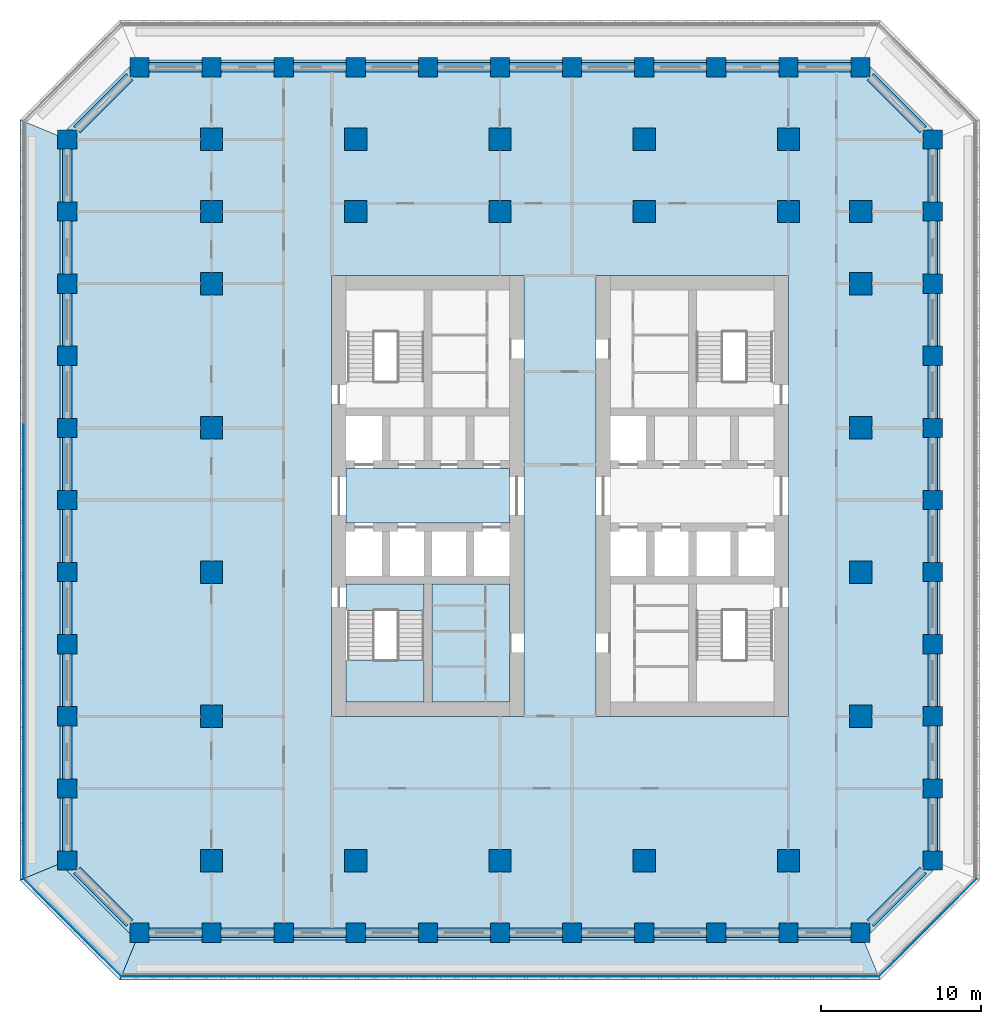
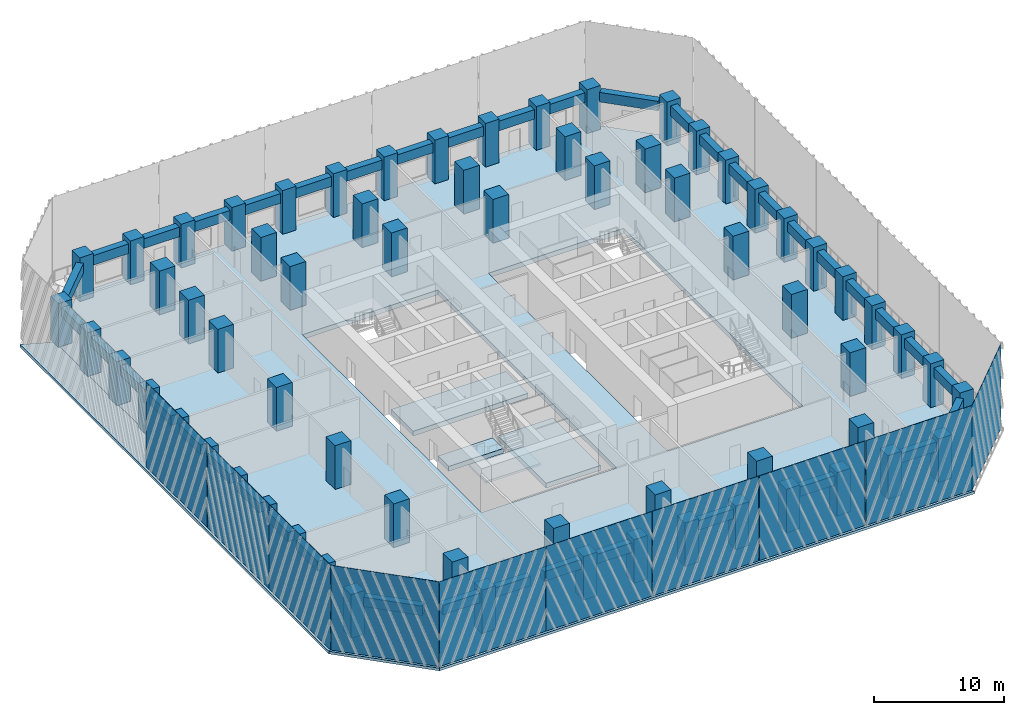
# One storey, part 1 of 19: 68 columns, 44 beams, 10 plates, 8 slabs, 1 element without a shape of its own.
"""IFC4 building model written with IfcOpenShell, lengths in metres."""

from ifc_helpers import new_model, si_unit, direction, frame, origin, origin_2d, place, context, subcontext, project, spatial, polyline, rectangle, outline, extrude, material, layer, layer_set, material_profile, profile_set, type_object, element, aggregate, save


model = new_model("IFC4")

# Units and contexts
model_context = context("Model", 3, precision=1e-05, world=origin(), true_north=direction((0.0, 1.0)))
body_context = subcontext(model_context, "Body", "Model", "MODEL_VIEW")
ifc_project = project(units=[si_unit("LENGTHUNIT", "METRE"), si_unit("AREAUNIT", "SQUARE_METRE"), si_unit("VOLUMEUNIT", "CUBIC_METRE"), si_unit("PLANEANGLEUNIT", "RADIAN"), si_unit("MASSUNIT", "GRAM", prefix="KILO")], contexts=[model_context])

# Site, building, storey
site_placement = place(None, origin())
site = spatial("IfcSite", under=ifc_project, at=site_placement, CompositionType="ELEMENT")
building_placement = place(site_placement, origin())
building = spatial("IfcBuilding", under=site, at=building_placement, Name="Corbel Stack Research Tower", CompositionType="ELEMENT")
storey_placement = place(building_placement, frame((0.0, 0.0, 124.89990234375)))
storey = spatial("IfcBuildingStorey", under=building, at=storey_placement, Name="L28", CompositionType="ELEMENT", Elevation=124.89990234375)

# Columns
ifc_material_1 = material(Name="Concrete C70/85", Category="concrete")
ifc_material_profile_1 = material_profile(ifc_material_1, rectangle(XDim=1.199951171875, YDim=1.199951171875, at=origin_2d()), Name="RC 1200 x 1200")
ifc_profile_set_1 = profile_set([ifc_material_profile_1], Name="Concrete C70/85")
column_type_1 = type_object("IfcColumnType", Name="C-1200-70", PredefinedType="COLUMN", material=ifc_profile_set_1)
for number, where, z_axis, x_axis, name in (
    (1, (-27.0, -18.0, 0.0), (0.0, 0.0, 1.0), (1.0, 0.0, 0.0), "Column 2/D L28"),
    (2, (-27.0, -13.5, 0.0), (0.0, 0.0, 1.0), (1.0, 0.0, 0.0), "Column 2/E L28"),
    (3, (-27.0, -9.0, 0.0), (0.0, 0.0, 1.0), (1.0, 0.0, 0.0), "Column 2/F L28"),
    (4, (-27.0, -4.5, 0.0), (0.0, 0.0, 1.0), (1.0, 0.0, 0.0), "Column 2/G L28"),
    (5, (-27.0, 0.0, 0.0), (0.0, 0.0, 1.0), (1.0, 0.0, 0.0), "Column 2/H L28"),
    (6, (-27.0, 4.5, 0.0), (0.0, 0.0, 1.0), (1.0, 0.0, 0.0), "Column 2/J L28"),
    (7, (-27.0, 9.0, 0.0), (0.0, 0.0, 1.0), (1.0, 0.0, 0.0), "Column 2/K L28"),
    (8, (-27.0, 13.5, 0.0), (0.0, 0.0, 1.0), (1.0, 0.0, 0.0), "Column 2/L L28"),
    (9, (-27.0, 18.0, 0.0), (0.0, 0.0, 1.0), (1.0, 0.0, 0.0), "Column 2/M L28"),
    (10, (-27.0, 22.5, 0.0), (0.0, 0.0, 1.0), (1.0, 0.0, 0.0), "Column 2/N L28"),
    (11, (-27.0, 27.0, 0.0), (0.0, 0.0, 1.0), (1.0, 0.0, 0.0), "Column 2/P L28"),
    (12, (-22.5, -22.5, 0.0), (0.0, 0.0, 1.0), (1.0, 0.0, 0.0), "Column 3/C L28"),
    (13, (-22.5, 31.5, 0.0), (0.0, 0.0, 1.0), (1.0, 0.0, 0.0), "Column 3/Q L28"),
    (14, (-18.0, -22.5, 0.0), (0.0, 0.0, 1.0), (1.0, 0.0, 0.0), "Column 4/C L28"),
    (15, (-18.0, 31.5, 0.0), (0.0, 0.0, 1.0), (1.0, 0.0, 0.0), "Column 4/Q L28"),
    (16, (-13.5, -22.5, 0.0), (0.0, 0.0, 1.0), (1.0, 0.0, 0.0), "Column 5/C L28"),
    (17, (-13.5, 31.5, 0.0), (0.0, 0.0, 1.0), (1.0, 0.0, 0.0), "Column 5/Q L28"),
    (18, (-9.0, -22.5, 0.0), (0.0, 0.0, 1.0), (1.0, 0.0, 0.0), "Column 6/C L28"),
    (19, (-9.0, 31.5, 0.0), (0.0, 0.0, 1.0), (1.0, 0.0, 0.0), "Column 6/Q L28"),
    (20, (-4.5, -22.5, 0.0), (0.0, 0.0, 1.0), (1.0, 0.0, 0.0), "Column 7/C L28"),
    (21, (-4.5, 31.5, 0.0), (0.0, 0.0, 1.0), (1.0, 0.0, 0.0), "Column 7/Q L28"),
    (22, (0.0, -22.5, 0.0), (0.0, 0.0, 1.0), (1.0, 0.0, 0.0), "Column 8/C L28"),
    (23, (0.0, 31.5, 0.0), (0.0, 0.0, 1.0), (1.0, 0.0, 0.0), "Column 8/Q L28"),
    (24, (4.5, -22.5, 0.0), (0.0, 0.0, 1.0), (1.0, 0.0, 0.0), "Column 9/C L28"),
    (25, (4.5, 31.5, 0.0), (0.0, 0.0, 1.0), (1.0, 0.0, 0.0), "Column 9/Q L28"),
    (26, (9.0, -22.5, 0.0), (0.0, 0.0, 1.0), (1.0, 0.0, 0.0), "Column 10/C L28"),
    (27, (9.0, 31.5, 0.0), (0.0, 0.0, 1.0), (1.0, 0.0, 0.0), "Column 10/Q L28"),
    (28, (13.5, -22.5, 0.0), (0.0, 0.0, 1.0), (1.0, 0.0, 0.0), "Column 11/C L28"),
    (29, (13.5, 31.5, 0.0), (0.0, 0.0, 1.0), (1.0, 0.0, 0.0), "Column 11/Q L28"),
    (30, (18.0, -22.5, 0.0), (0.0, 0.0, 1.0), (1.0, 0.0, 0.0), "Column 12/C L28"),
    (31, (18.0, 31.5, 0.0), (0.0, 0.0, 1.0), (1.0, 0.0, 0.0), "Column 12/Q L28"),
    (32, (22.5, -22.5, 0.0), (0.0, 0.0, 1.0), (1.0, 0.0, 0.0), "Column 13/C L28"),
    (33, (22.5, 31.5, 0.0), (0.0, 0.0, 1.0), (1.0, 0.0, 0.0), "Column 13/Q L28"),
    (34, (27.0, -18.0, 0.0), (0.0, 0.0, 1.0), (1.0, 0.0, 0.0), "Column 14/D L28"),
    (35, (27.0, -13.5, 0.0), (0.0, 0.0, 1.0), (1.0, 0.0, 0.0), "Column 14/E L28"),
    (36, (27.0, -9.0, 0.0), (0.0, 0.0, 1.0), (1.0, 0.0, 0.0), "Column 14/F L28"),
    (37, (27.0, -4.5, 0.0), (0.0, 0.0, 1.0), (1.0, 0.0, 0.0), "Column 14/G L28"),
    (38, (27.0, 0.0, 0.0), (0.0, 0.0, 1.0), (1.0, 0.0, 0.0), "Column 14/H L28"),
    (39, (27.0, 4.5, 0.0), (0.0, 0.0, 1.0), (1.0, 0.0, 0.0), "Column 14/J L28"),
    (40, (27.0, 9.0, 0.0), (0.0, 0.0, 1.0), (1.0, 0.0, 0.0), "Column 14/K L28"),
    (41, (27.0, 13.5, 0.0), (0.0, 0.0, 1.0), (1.0, 0.0, 0.0), "Column 14/L L28"),
    (42, (27.0, 18.0, 0.0), (0.0, 0.0, 1.0), (1.0, 0.0, 0.0), "Column 14/M L28"),
    (43, (27.0, 22.5, 0.0), (0.0, 0.0, 1.0), (1.0, 0.0, 0.0), "Column 14/N L28"),
    (44, (27.0, 27.0, 0.0), (0.0, 0.0, 1.0), (1.0, 0.0, 0.0), "Column 14/P L28"),
):
    element("IfcColumn", number, at=place(storey_placement, frame(where, z_axis=z_axis, x_axis=x_axis)), inside=storey, type_object=column_type_1, Name=name, PredefinedType="COLUMN", context=body_context, shape_type="SweptSolid", body=[
        extrude(rectangle(XDim=1.199951171875, YDim=1.199951171875, at=origin_2d()), origin(), (0.0, 0.0, 1.0), 4.10009765625),
    ])
ifc_material_2 = material(Name="Concrete C70/85", Category="concrete")
ifc_material_profile_2 = material_profile(ifc_material_2, rectangle(XDim=1.39990234375, YDim=1.39990234375, at=origin_2d()), Name="RC 1400 x 1400")
ifc_profile_set_2 = profile_set([ifc_material_profile_2], Name="Concrete C70/85")
column_type_2 = type_object("IfcColumnType", Name="C-1400-70", PredefinedType="COLUMN", material=ifc_profile_set_2)
for number, where, z_axis, x_axis, name in (
    (45, (-18.0, -18.0, 0.0), (0.0, 0.0, 1.0), (1.0, 0.0, 0.0), "Column 4/D L28"),
    (46, (-18.0, -9.0, 0.0), (0.0, 0.0, 1.0), (1.0, 0.0, 0.0), "Column 4/F L28"),
    (47, (-18.0, 0.0, 0.0), (0.0, 0.0, 1.0), (1.0, 0.0, 0.0), "Column 4/H L28"),
    (48, (-18.0, 9.0, 0.0), (0.0, 0.0, 1.0), (1.0, 0.0, 0.0), "Column 4/K L28"),
    (49, (-18.0, 18.0, 0.0), (0.0, 0.0, 1.0), (1.0, 0.0, 0.0), "Column 4/M L28"),
    (50, (-18.0, 22.5, 0.0), (0.0, 0.0, 1.0), (1.0, 0.0, 0.0), "Column 4/N L28"),
    (51, (-18.0, 27.0, 0.0), (0.0, 0.0, 1.0), (1.0, 0.0, 0.0), "Column 4/P L28"),
    (52, (-9.0, -18.0, 0.0), (0.0, 0.0, 1.0), (1.0, 0.0, 0.0), "Column 6/D L28"),
    (53, (-9.0, 22.5, 0.0), (0.0, 0.0, 1.0), (1.0, 0.0, 0.0), "Column 6/N L28"),
    (54, (-9.0, 27.0, 0.0), (0.0, 0.0, 1.0), (1.0, 0.0, 0.0), "Column 6/P L28"),
    (55, (0.0, -18.0, 0.0), (0.0, 0.0, 1.0), (1.0, 0.0, 0.0), "Column 8/D L28"),
    (56, (0.0, 22.5, 0.0), (0.0, 0.0, 1.0), (1.0, 0.0, 0.0), "Column 8/N L28"),
    (57, (0.0, 27.0, 0.0), (0.0, 0.0, 1.0), (1.0, 0.0, 0.0), "Column 8/P L28"),
    (58, (9.0, -18.0, 0.0), (0.0, 0.0, 1.0), (1.0, 0.0, 0.0), "Column 10/D L28"),
    (59, (9.0, 22.5, 0.0), (0.0, 0.0, 1.0), (1.0, 0.0, 0.0), "Column 10/N L28"),
    (60, (9.0, 27.0, 0.0), (0.0, 0.0, 1.0), (1.0, 0.0, 0.0), "Column 10/P L28"),
    (61, (18.0, -18.0, 0.0), (0.0, 0.0, 1.0), (1.0, 0.0, 0.0), "Column 12/D L28"),
    (62, (18.0, 22.5, 0.0), (0.0, 0.0, 1.0), (1.0, 0.0, 0.0), "Column 12/N L28"),
    (63, (18.0, 27.0, 0.0), (0.0, 0.0, 1.0), (1.0, 0.0, 0.0), "Column 12/P L28"),
    (64, (22.5, -9.0, 0.0), (0.0, 0.0, 1.0), (1.0, 0.0, 0.0), "Column 13/F L28"),
    (65, (22.5, 0.0, 0.0), (0.0, 0.0, 1.0), (1.0, 0.0, 0.0), "Column 13/H L28"),
    (66, (22.5, 9.0, 0.0), (0.0, 0.0, 1.0), (1.0, 0.0, 0.0), "Column 13/K L28"),
    (67, (22.5, 18.0, 0.0), (0.0, 0.0, 1.0), (1.0, 0.0, 0.0), "Column 13/M L28"),
    (68, (22.5, 22.5, 0.0), (0.0, 0.0, 1.0), (1.0, 0.0, 0.0), "Column 13/N L28"),
):
    element("IfcColumn", number, at=place(storey_placement, frame(where, z_axis=z_axis, x_axis=x_axis)), inside=storey, type_object=column_type_2, Name=name, PredefinedType="COLUMN", context=body_context, shape_type="SweptSolid", body=[
        extrude(rectangle(XDim=1.39990234375, YDim=1.39990234375, at=origin_2d()), origin(), (0.0, 0.0, 1.0), 4.10009765625),
    ])

# Beams
ifc_material_3 = material(Name="Concrete C60/75", Category="concrete")
ifc_material_profile_3 = material_profile(ifc_material_3, rectangle(XDim=0.60009765625, YDim=0.89990234375, at=origin_2d()), Name="RC 600 x 900")
ifc_profile_set_3 = profile_set([ifc_material_profile_3], Name="Concrete C60/75")
beam_type = type_object("IfcBeamType", Name="SB-600-900-450", PredefinedType="SPANDREL", material=ifc_profile_set_3)
for number, where, z_axis, x_axis, name in (
    (69, (-21.89990234375, -22.5, 3.2001953125), (1.0, 0.0, 0.0), (0.0, 1.0, 0.0), "Spandrel beam L28-01"),
    (70, (-17.39990234375, -22.5, 3.2001953125), (1.0, 0.0, 0.0), (0.0, 1.0, 0.0), "Spandrel beam L28-02"),
    (71, (-12.89990234375, -22.5, 3.2001953125), (1.0, 0.0, 0.0), (0.0, 1.0, 0.0), "Spandrel beam L28-03"),
    (72, (-8.39990234375, -22.5, 3.2001953125), (1.0, 0.0, 0.0), (0.0, 1.0, 0.0), "Spandrel beam L28-04"),
    (73, (-3.89990234375, -22.5, 3.2001953125), (1.0, 0.0, 0.0), (0.0, 1.0, 0.0), "Spandrel beam L28-05"),
    (74, (0.60009765625, -22.5, 3.2001953125), (1.0, 0.0, 0.0), (0.0, 1.0, 0.0), "Spandrel beam L28-06"),
    (75, (5.10009765625, -22.5, 3.2001953125), (1.0, 0.0, 0.0), (0.0, 1.0, 0.0), "Spandrel beam L28-07"),
    (76, (9.60009765625, -22.5, 3.2001953125), (1.0, 0.0, 0.0), (0.0, 1.0, 0.0), "Spandrel beam L28-08"),
    (77, (14.10009765625, -22.5, 3.2001953125), (1.0, 0.0, 0.0), (0.0, 1.0, 0.0), "Spandrel beam L28-09"),
    (78, (18.60009765625, -22.5, 3.2001953125), (1.0, 0.0, 0.0), (0.0, 1.0, 0.0), "Spandrel beam L28-10"),
):
    element("IfcBeam", number, at=place(storey_placement, frame(where, z_axis=z_axis, x_axis=x_axis)), inside=storey, type_object=beam_type, Name=name, PredefinedType="SPANDREL", context=body_context, shape_type="SweptSolid", body=[
        extrude(rectangle(XDim=0.60009765625, YDim=0.89990234375, at=origin_2d()), origin(), (0.0, 0.0, 1.0), 3.2998046875),
    ])
beam_1_placement = place(storey_placement, frame((23.10009765625, -21.89990234375, 3.2001953125), z_axis=(0.707106781187, 0.707106781187, 0.0), x_axis=(-0.707106781187, 0.707106781187, 0.0)))
element("IfcBeam", 79, at=beam_1_placement, inside=storey, type_object=beam_type, Name="Spandrel beam L28-11", PredefinedType="SPANDREL", context=body_context, shape_type="SweptSolid", body=[
    extrude(rectangle(XDim=0.60009765625, YDim=0.89990234375, at=origin_2d()), origin(), (0.0, 0.0, 1.0), 4.666748046875),
])
for number, where, z_axis, x_axis, name in (
    (80, (27.0, -17.39990234375, 3.2001953125), (0.0, 1.0, 0.0), (-1.0, 0.0, 0.0), "Spandrel beam L28-12"),
    (81, (27.0, -12.89990234375, 3.2001953125), (0.0, 1.0, 0.0), (-1.0, 0.0, 0.0), "Spandrel beam L28-13"),
    (82, (27.0, -8.39990234375, 3.2001953125), (0.0, 1.0, 0.0), (-1.0, 0.0, 0.0), "Spandrel beam L28-14"),
    (83, (27.0, -3.89990234375, 3.2001953125), (0.0, 1.0, 0.0), (-1.0, 0.0, 0.0), "Spandrel beam L28-15"),
    (84, (27.0, 0.60009765625, 3.2001953125), (0.0, 1.0, 0.0), (-1.0, 0.0, 0.0), "Spandrel beam L28-16"),
    (85, (27.0, 5.10009765625, 3.2001953125), (0.0, 1.0, 0.0), (-1.0, 0.0, 0.0), "Spandrel beam L28-17"),
    (86, (27.0, 9.60009765625, 3.2001953125), (0.0, 1.0, 0.0), (-1.0, 0.0, 0.0), "Spandrel beam L28-18"),
    (87, (27.0, 14.10009765625, 3.2001953125), (0.0, 1.0, 0.0), (-1.0, 0.0, 0.0), "Spandrel beam L28-19"),
    (88, (27.0, 18.60009765625, 3.2001953125), (0.0, 1.0, 0.0), (-1.0, 0.0, 0.0), "Spandrel beam L28-20"),
    (89, (27.0, 23.10009765625, 3.2001953125), (0.0, 1.0, 0.0), (-1.0, 0.0, 0.0), "Spandrel beam L28-21"),
):
    element("IfcBeam", number, at=place(storey_placement, frame(where, z_axis=z_axis, x_axis=x_axis)), inside=storey, type_object=beam_type, Name=name, PredefinedType="SPANDREL", context=body_context, shape_type="SweptSolid", body=[
        extrude(rectangle(XDim=0.60009765625, YDim=0.89990234375, at=origin_2d()), origin(), (0.0, 0.0, 1.0), 3.2998046875),
    ])
beam_2_placement = place(storey_placement, frame((26.39990234375, 27.60009765625, 3.2001953125), z_axis=(-0.707106781187, 0.707106781187, 0.0), x_axis=(-0.707106781187, -0.707106781187, 0.0)))
element("IfcBeam", 90, at=beam_2_placement, inside=storey, type_object=beam_type, Name="Spandrel beam L28-22", PredefinedType="SPANDREL", context=body_context, shape_type="SweptSolid", body=[
    extrude(rectangle(XDim=0.60009765625, YDim=0.89990234375, at=origin_2d()), origin(), (0.0, 0.0, 1.0), 4.666748046875),
])
for number, where, z_axis, x_axis, name in (
    (91, (21.89990234375, 31.5, 3.2001953125), (-1.0, 0.0, 0.0), (0.0, -1.0, 0.0), "Spandrel beam L28-23"),
    (92, (17.39990234375, 31.5, 3.2001953125), (-1.0, 0.0, 0.0), (0.0, -1.0, 0.0), "Spandrel beam L28-24"),
    (93, (12.89990234375, 31.5, 3.2001953125), (-1.0, 0.0, 0.0), (0.0, -1.0, 0.0), "Spandrel beam L28-25"),
    (94, (8.39990234375, 31.5, 3.2001953125), (-1.0, 0.0, 0.0), (0.0, -1.0, 0.0), "Spandrel beam L28-26"),
    (95, (3.89990234375, 31.5, 3.2001953125), (-1.0, 0.0, 0.0), (0.0, -1.0, 0.0), "Spandrel beam L28-27"),
    (96, (-0.60009765625, 31.5, 3.2001953125), (-1.0, 0.0, 0.0), (0.0, -1.0, 0.0), "Spandrel beam L28-28"),
    (97, (-5.10009765625, 31.5, 3.2001953125), (-1.0, 0.0, 0.0), (0.0, -1.0, 0.0), "Spandrel beam L28-29"),
    (98, (-9.60009765625, 31.5, 3.2001953125), (-1.0, 0.0, 0.0), (0.0, -1.0, 0.0), "Spandrel beam L28-30"),
    (99, (-14.10009765625, 31.5, 3.2001953125), (-1.0, 0.0, 0.0), (0.0, -1.0, 0.0), "Spandrel beam L28-31"),
    (100, (-18.60009765625, 31.5, 3.2001953125), (-1.0, 0.0, 0.0), (0.0, -1.0, 0.0), "Spandrel beam L28-32"),
):
    element("IfcBeam", number, at=place(storey_placement, frame(where, z_axis=z_axis, x_axis=x_axis)), inside=storey, type_object=beam_type, Name=name, PredefinedType="SPANDREL", context=body_context, shape_type="SweptSolid", body=[
        extrude(rectangle(XDim=0.60009765625, YDim=0.89990234375, at=origin_2d()), origin(), (0.0, 0.0, 1.0), 3.2998046875),
    ])
beam_3_placement = place(storey_placement, frame((-23.10009765625, 30.89990234375, 3.2001953125), z_axis=(-0.707106781187, -0.707106781187, 0.0), x_axis=(0.707106781187, -0.707106781187, 0.0)))
element("IfcBeam", 101, at=beam_3_placement, inside=storey, type_object=beam_type, Name="Spandrel beam L28-33", PredefinedType="SPANDREL", context=body_context, shape_type="SweptSolid", body=[
    extrude(rectangle(XDim=0.60009765625, YDim=0.89990234375, at=origin_2d()), origin(), (0.0, 0.0, 1.0), 4.666748046875),
])
for number, where, z_axis, x_axis, name in (
    (102, (-27.0, 26.39990234375, 3.2001953125), (0.0, -1.0, 0.0), (1.0, 0.0, 0.0), "Spandrel beam L28-34"),
    (103, (-27.0, 21.89990234375, 3.2001953125), (0.0, -1.0, 0.0), (1.0, 0.0, 0.0), "Spandrel beam L28-35"),
    (104, (-27.0, 17.39990234375, 3.2001953125), (0.0, -1.0, 0.0), (1.0, 0.0, 0.0), "Spandrel beam L28-36"),
    (105, (-27.0, 12.89990234375, 3.2001953125), (0.0, -1.0, 0.0), (1.0, 0.0, 0.0), "Spandrel beam L28-37"),
    (106, (-27.0, 8.39990234375, 3.2001953125), (0.0, -1.0, 0.0), (1.0, 0.0, 0.0), "Spandrel beam L28-38"),
    (107, (-27.0, 3.89990234375, 3.2001953125), (0.0, -1.0, 0.0), (1.0, 0.0, 0.0), "Spandrel beam L28-39"),
    (108, (-27.0, -0.60009765625, 3.2001953125), (0.0, -1.0, 0.0), (1.0, 0.0, 0.0), "Spandrel beam L28-40"),
    (109, (-27.0, -5.10009765625, 3.2001953125), (0.0, -1.0, 0.0), (1.0, 0.0, 0.0), "Spandrel beam L28-41"),
    (110, (-27.0, -9.60009765625, 3.2001953125), (0.0, -1.0, 0.0), (1.0, 0.0, 0.0), "Spandrel beam L28-42"),
    (111, (-27.0, -14.10009765625, 3.2001953125), (0.0, -1.0, 0.0), (1.0, 0.0, 0.0), "Spandrel beam L28-43"),
):
    element("IfcBeam", number, at=place(storey_placement, frame(where, z_axis=z_axis, x_axis=x_axis)), inside=storey, type_object=beam_type, Name=name, PredefinedType="SPANDREL", context=body_context, shape_type="SweptSolid", body=[
        extrude(rectangle(XDim=0.60009765625, YDim=0.89990234375, at=origin_2d()), origin(), (0.0, 0.0, 1.0), 3.2998046875),
    ])
beam_4_placement = place(storey_placement, frame((-26.39990234375, -18.60009765625, 3.2001953125), z_axis=(0.707106781187, -0.707106781187, 0.0), x_axis=(0.707106781187, 0.707106781187, 0.0)))
element("IfcBeam", 112, at=beam_4_placement, inside=storey, type_object=beam_type, Name="Spandrel beam L28-44", PredefinedType="SPANDREL", context=body_context, shape_type="SweptSolid", body=[
    extrude(rectangle(XDim=0.60009765625, YDim=0.89990234375, at=origin_2d()), origin(), (0.0, 0.0, 1.0), 4.666748046875),
])

# Plates
ifc_material_4 = material(Name="Fritted glass", Category="glass")
ifc_layer_1 = layer(ifc_material_4, 0.02490234375)
ifc_layer_set_1 = layer_set([ifc_layer_1], Name="Fritted glass")
plate_type = type_object("IfcPlateType", Name="Fritted glass panel 25", PredefinedType="SHEET", material=ifc_layer_set_1)
for number, where, z_axis, x_axis, name in (
    (113, (-18.911376953125, -25.237548828125, 0.0), (0.0, 0.0, 1.0), (1.0, 0.0, 0.0), "Fritted glass L28 S1"),
    (114, (-9.45556640625, -25.237548828125, 0.0), (0.0, 0.0, 1.0), (1.0, 0.0, 0.0), "Fritted glass L28 S2"),
    (115, (0.0, -25.237548828125, 0.0), (0.0, 0.0, 1.0), (1.0, 0.0, 0.0), "Fritted glass L28 S3"),
    (116, (9.45556640625, -25.237548828125, 0.0), (0.0, 0.0, 1.0), (1.0, 0.0, 0.0), "Fritted glass L28 S4"),
    (117, (18.911376953125, -25.237548828125, 0.0), (0.0, 0.0, 1.0), (1.0, 0.0, 0.0), "Fritted glass L28 S5"),
):
    element("IfcPlate", number, at=place(storey_placement, frame(where, z_axis=z_axis, x_axis=x_axis)), inside=storey, type_object=plate_type, Name=name, PredefinedType="SHEET", context=body_context, shape_type="SweptSolid", body=[
        extrude(rectangle(XDim=9.3955078125, YDim=0.02490234375, at=origin_2d()), origin(), (0.0, 0.0, 1.0), 7.949951171875),
    ])
plate_1_placement = place(storey_placement, frame((26.685791015625, -22.185791015625, 0.0), z_axis=(0.0, 0.0, 1.0), x_axis=(0.707106781187, 0.707106781187, 0.0)))
element("IfcPlate", 118, at=plate_1_placement, inside=storey, type_object=plate_type, Name="Fritted glass L28 SE1", PredefinedType="SHEET", context=body_context, shape_type="SweptSolid", body=[
    extrude(rectangle(XDim=8.58203125, YDim=0.02490234375, at=origin_2d()), origin(), (0.0, 0.0, 1.0), 7.949951171875),
])
for number, where, z_axis, x_axis, name in (
    (119, (-29.737548828125, 4.5, 0.0), (0.0, 0.0, 1.0), (0.0, -1.0, 0.0), "Fritted glass L28 W3"),
    (120, (-29.737548828125, -4.95556640625, 0.0), (0.0, 0.0, 1.0), (0.0, -1.0, 0.0), "Fritted glass L28 W4"),
    (121, (-29.737548828125, -14.411376953125, 0.0), (0.0, 0.0, 1.0), (0.0, -1.0, 0.0), "Fritted glass L28 W5"),
):
    element("IfcPlate", number, at=place(storey_placement, frame(where, z_axis=z_axis, x_axis=x_axis)), inside=storey, type_object=plate_type, Name=name, PredefinedType="SHEET", context=body_context, shape_type="SweptSolid", body=[
        extrude(rectangle(XDim=9.3955078125, YDim=0.02490234375, at=origin_2d()), origin(), (0.0, 0.0, 1.0), 7.949951171875),
    ])
plate_2_placement = place(storey_placement, frame((-26.685791015625, -22.185791015625, 0.0), z_axis=(0.0, 0.0, 1.0), x_axis=(0.707106781187, -0.707106781187, 0.0)))
element("IfcPlate", 122, at=plate_2_placement, inside=storey, type_object=plate_type, Name="Fritted glass L28 SW1", PredefinedType="SHEET", context=body_context, shape_type="SweptSolid", body=[
    extrude(rectangle(XDim=8.58203125, YDim=0.02490234375, at=origin_2d()), origin(), (0.0, 0.0, 1.0), 7.949951171875),
])

# Slabs
ifc_material_5 = material(Name="Concrete C45/55", Category="concrete")
ifc_layer_2 = layer(ifc_material_5, 0.25)
ifc_layer_set_2 = layer_set([ifc_layer_2], Name="Concrete C45/55")
slab_type_1 = type_object("IfcSlabType", Name="PT balcony slab 250 C45/55", PredefinedType="FLOOR", material=ifc_layer_set_2)
slab_1_placement = place(storey_placement, frame((0.0, 0.0, -0.25)))
element("IfcSlab", 123, at=slab_1_placement, inside=storey, type_object=slab_type_1, Name="Loggia slab L28 S", PredefinedType="FLOOR", context=body_context, shape_type="SweptSolid", body=[
    extrude(outline(polyline([(22.74853515625, -23.10009765625), (21.89990234375, -23.10009765625), (21.89990234375, -22.949951171875), (18.60009765625, -22.949951171875), (18.60009765625, -23.10009765625), (17.39990234375, -23.10009765625), (17.39990234375, -22.949951171875), (14.10009765625, -22.949951171875), (14.10009765625, -23.10009765625), (12.89990234375, -23.10009765625), (12.89990234375, -22.949951171875), (9.60009765625, -22.949951171875), (9.60009765625, -23.10009765625), (8.39990234375, -23.10009765625), (8.39990234375, -22.949951171875), (5.10009765625, -22.949951171875), (5.10009765625, -23.10009765625), (3.89990234375, -23.10009765625), (3.89990234375, -22.949951171875), (0.60009765625, -22.949951171875), (0.60009765625, -23.10009765625), (-0.60009765625, -23.10009765625), (-0.60009765625, -22.949951171875), (-3.89990234375, -22.949951171875), (-3.89990234375, -23.10009765625), (-5.10009765625, -23.10009765625), (-5.10009765625, -22.949951171875), (-8.39990234375, -22.949951171875), (-8.39990234375, -23.10009765625), (-9.60009765625, -23.10009765625), (-9.60009765625, -22.949951171875), (-12.89990234375, -22.949951171875), (-12.89990234375, -23.10009765625), (-14.10009765625, -23.10009765625), (-14.10009765625, -22.949951171875), (-17.39990234375, -22.949951171875), (-17.39990234375, -23.10009765625), (-18.60009765625, -23.10009765625), (-18.60009765625, -22.949951171875), (-21.89990234375, -22.949951171875), (-21.89990234375, -23.10009765625), (-22.74853515625, -23.10009765625), (-23.721923828125, -25.449951171875), (23.721923828125, -25.449951171875), (22.74853515625, -23.10009765625)])), origin(), (0.0, 0.0, 1.0), 0.25),
])
slab_2_placement = place(storey_placement, frame((0.0, 0.0, -0.25)))
element("IfcSlab", 124, at=slab_2_placement, inside=storey, type_object=slab_type_1, Name="Loggia slab L28 W", PredefinedType="FLOOR", context=body_context, shape_type="SweptSolid", body=[
    extrude(outline(polyline([(-27.60009765625, -18.24853515625), (-27.60009765625, -17.39990234375), (-27.449951171875, -17.39990234375), (-27.449951171875, -14.10009765625), (-27.60009765625, -14.10009765625), (-27.60009765625, -12.89990234375), (-27.449951171875, -12.89990234375), (-27.449951171875, -9.60009765625), (-27.60009765625, -9.60009765625), (-27.60009765625, -8.39990234375), (-27.449951171875, -8.39990234375), (-27.449951171875, -5.10009765625), (-27.60009765625, -5.10009765625), (-27.60009765625, -3.89990234375), (-27.449951171875, -3.89990234375), (-27.449951171875, -0.60009765625), (-27.60009765625, -0.60009765625), (-27.60009765625, 0.60009765625), (-27.449951171875, 0.60009765625), (-27.449951171875, 3.89990234375), (-27.60009765625, 3.89990234375), (-27.60009765625, 5.10009765625), (-27.449951171875, 5.10009765625), (-27.449951171875, 8.39990234375), (-27.60009765625, 8.39990234375), (-27.60009765625, 9.60009765625), (-27.449951171875, 9.60009765625), (-27.449951171875, 12.89990234375), (-27.60009765625, 12.89990234375), (-27.60009765625, 14.10009765625), (-27.449951171875, 14.10009765625), (-27.449951171875, 17.39990234375), (-27.60009765625, 17.39990234375), (-27.60009765625, 18.60009765625), (-27.449951171875, 18.60009765625), (-27.449951171875, 21.89990234375), (-27.60009765625, 21.89990234375), (-27.60009765625, 23.10009765625), (-27.449951171875, 23.10009765625), (-27.449951171875, 26.39990234375), (-27.60009765625, 26.39990234375), (-27.60009765625, 27.24853515625), (-29.949951171875, 28.221923828125), (-29.949951171875, -19.221923828125), (-27.60009765625, -18.24853515625)])), origin(), (0.0, 0.0, 1.0), 0.25),
])
slab_3_placement = place(storey_placement, frame((0.0, 0.0, -0.25)))
element("IfcSlab", 125, at=slab_3_placement, inside=storey, type_object=slab_type_1, Name="Loggia slab L28 SW", PredefinedType="FLOOR", context=body_context, shape_type="SweptSolid", body=[
    extrude(outline(polyline([(-22.74853515625, -23.10009765625), (-23.10009765625, -23.10009765625), (-23.10009765625, -22.536376953125), (-27.036376953125, -18.60009765625), (-27.60009765625, -18.60009765625), (-27.60009765625, -18.24853515625), (-29.949951171875, -19.221923828125), (-23.721923828125, -25.449951171875), (-22.74853515625, -23.10009765625)])), origin(), (0.0, 0.0, 1.0), 0.25),
])
ifc_material_6 = material(Name="Concrete C45/55", Category="concrete")
ifc_layer_3 = layer(ifc_material_6, 0.449951171875)
ifc_layer_set_3 = layer_set([ifc_layer_3], Name="Concrete C45/55")
slab_type_2 = type_object("IfcSlabType", Name="PT-450", PredefinedType="FLOOR", material=ifc_layer_set_3)
slab_4_placement = place(storey_placement, frame((0.0, 0.0, -0.449951171875)))
element("IfcSlab", 126, at=slab_4_placement, inside=storey, type_object=slab_type_2, Name="Floor slab L28", PredefinedType="FLOOR", context=body_context, shape_type="SweptSolid", body=[
    extrude(outline(polyline([(-22.686279296875, -22.949951171875), (22.686279296875, -22.949951171875), (27.449951171875, -18.186279296875), (27.449951171875, 27.186279296875), (22.686279296875, 31.949951171875), (-22.686279296875, 31.949951171875), (-27.449951171875, 27.186279296875), (-27.449951171875, -18.186279296875), (-22.686279296875, -22.949951171875)]), holes=[polyline([(21.800048828125, 21.800048828125), (21.800048828125, 23.199951171875), (23.199951171875, 23.199951171875), (23.199951171875, 21.800048828125), (21.800048828125, 21.800048828125)]), polyline([(23.199951171875, 17.300048828125), (21.800048828125, 17.300048828125), (21.800048828125, 18.699951171875), (23.199951171875, 18.699951171875), (23.199951171875, 17.300048828125)]), polyline([(21.800048828125, 8.300048828125), (21.800048828125, 9.699951171875), (23.199951171875, 9.699951171875), (23.199951171875, 8.300048828125), (21.800048828125, 8.300048828125)]), polyline([(23.199951171875, -0.699951171875), (21.800048828125, -0.699951171875), (21.800048828125, 0.699951171875), (23.199951171875, 0.699951171875), (23.199951171875, -0.699951171875)]), polyline([(21.800048828125, -9.699951171875), (21.800048828125, -8.300048828125), (23.199951171875, -8.300048828125), (23.199951171875, -9.699951171875), (21.800048828125, -9.699951171875)]), polyline([(17.300048828125, 26.300048828125), (17.300048828125, 27.699951171875), (18.699951171875, 27.699951171875), (18.699951171875, 26.300048828125), (17.300048828125, 26.300048828125)]), polyline([(17.300048828125, 21.800048828125), (17.300048828125, 23.199951171875), (18.699951171875, 23.199951171875), (18.699951171875, 21.800048828125), (17.300048828125, 21.800048828125)]), polyline([(17.300048828125, -18.699951171875), (17.300048828125, -17.300048828125), (18.699951171875, -17.300048828125), (18.699951171875, -18.699951171875), (17.300048828125, -18.699951171875)]), polyline([(6.0, -9.0), (6.0, 18.5), (18.0, 18.5), (18.0, -9.0), (6.0, -9.0)]), polyline([(8.300048828125, 26.300048828125), (8.300048828125, 27.699951171875), (9.699951171875, 27.699951171875), (9.699951171875, 26.300048828125), (8.300048828125, 26.300048828125)]), polyline([(8.300048828125, 21.800048828125), (8.300048828125, 23.199951171875), (9.699951171875, 23.199951171875), (9.699951171875, 21.800048828125), (8.300048828125, 21.800048828125)]), polyline([(9.699951171875, -18.699951171875), (8.300048828125, -18.699951171875), (8.300048828125, -17.300048828125), (9.699951171875, -17.300048828125), (9.699951171875, -18.699951171875)]), polyline([(-10.5, -9.0), (-10.5, 18.5), (1.5, 18.5), (1.5, -9.0), (-10.5, -9.0)]), polyline([(-0.699951171875, 26.300048828125), (-0.699951171875, 27.699951171875), (0.699951171875, 27.699951171875), (0.699951171875, 26.300048828125), (-0.699951171875, 26.300048828125)]), polyline([(-0.699951171875, 21.800048828125), (-0.699951171875, 23.199951171875), (0.699951171875, 23.199951171875), (0.699951171875, 21.800048828125), (-0.699951171875, 21.800048828125)]), polyline([(-0.699951171875, -18.699951171875), (-0.699951171875, -17.300048828125), (0.699951171875, -17.300048828125), (0.699951171875, -18.699951171875), (-0.699951171875, -18.699951171875)]), polyline([(-9.699951171875, 26.300048828125), (-9.699951171875, 27.699951171875), (-8.300048828125, 27.699951171875), (-8.300048828125, 26.300048828125), (-9.699951171875, 26.300048828125)]), polyline([(-9.699951171875, 21.800048828125), (-9.699951171875, 23.199951171875), (-8.300048828125, 23.199951171875), (-8.300048828125, 21.800048828125), (-9.699951171875, 21.800048828125)]), polyline([(-9.699951171875, -18.699951171875), (-9.699951171875, -17.300048828125), (-8.300048828125, -17.300048828125), (-8.300048828125, -18.699951171875), (-9.699951171875, -18.699951171875)]), polyline([(-18.699951171875, 26.300048828125), (-18.699951171875, 27.699951171875), (-17.300048828125, 27.699951171875), (-17.300048828125, 26.300048828125), (-18.699951171875, 26.300048828125)]), polyline([(-18.699951171875, 21.800048828125), (-18.699951171875, 23.199951171875), (-17.300048828125, 23.199951171875), (-17.300048828125, 21.800048828125), (-18.699951171875, 21.800048828125)]), polyline([(-18.699951171875, 17.300048828125), (-18.699951171875, 18.699951171875), (-17.300048828125, 18.699951171875), (-17.300048828125, 17.300048828125), (-18.699951171875, 17.300048828125)]), polyline([(-17.300048828125, 8.300048828125), (-18.699951171875, 8.300048828125), (-18.699951171875, 9.699951171875), (-17.300048828125, 9.699951171875), (-17.300048828125, 8.300048828125)]), polyline([(-18.699951171875, -0.699951171875), (-18.699951171875, 0.699951171875), (-17.300048828125, 0.699951171875), (-17.300048828125, -0.699951171875), (-18.699951171875, -0.699951171875)]), polyline([(-17.300048828125, -9.699951171875), (-18.699951171875, -9.699951171875), (-18.699951171875, -8.300048828125), (-17.300048828125, -8.300048828125), (-17.300048828125, -9.699951171875)]), polyline([(-17.300048828125, -18.699951171875), (-18.699951171875, -18.699951171875), (-18.699951171875, -17.300048828125), (-17.300048828125, -17.300048828125), (-17.300048828125, -18.699951171875)])]), origin(), (0.0, 0.0, 1.0), 0.449951171875),
])
slab_5_placement = place(storey_placement, frame((0.0, 0.0, -0.449951171875)))
element("IfcSlab", 127, at=slab_5_placement, inside=storey, type_object=slab_type_2, Name="West core floor L28", PredefinedType="FLOOR", context=body_context, shape_type="SweptSolid", body=[
    extrude(outline(polyline([(0.60009765625, 6.449951171875), (-9.60009765625, 6.449951171875), (-9.60009765625, 3.050048828125), (0.60009765625, 3.050048828125), (0.60009765625, 6.449951171875)])), origin(), (0.0, 0.0, 1.0), 0.449951171875),
])
slab_6_placement = place(storey_placement, frame((0.0, 0.0, -0.449951171875)))
element("IfcSlab", 128, at=slab_6_placement, inside=storey, type_object=slab_type_2, Name="West core floor L28", PredefinedType="FLOOR", context=body_context, shape_type="SweptSolid", body=[
    extrude(outline(polyline([(0.60009765625, -8.10009765625), (0.60009765625, -0.75), (-4.25, -0.75), (-4.25, -8.10009765625), (0.60009765625, -8.10009765625)])), origin(), (0.0, 0.0, 1.0), 0.449951171875),
])
slab_7_placement = place(storey_placement, frame((0.0, 0.0, -0.449951171875)))
element("IfcSlab", 129, at=slab_7_placement, inside=storey, type_object=slab_type_2, Name="Stair floor landing ST-W1", PredefinedType="FLOOR", context=body_context, shape_type="SweptSolid", body=[
    extrude(outline(polyline([(-9.60009765625, -2.39990234375), (-4.75, -2.39990234375), (-4.75, -0.75), (-9.60009765625, -0.75), (-9.60009765625, -2.39990234375)])), origin(), (0.0, 0.0, 1.0), 0.449951171875),
])

# Stair, slab
ifc_material_7 = material(Name="Concrete C40/50", Category="concrete")
stair_type = type_object("IfcStairType", Name="Exit stair 24 risers", PredefinedType="HALF_TURN_STAIR", material=ifc_material_7)
stair_placement = place(storey_placement, origin())
stair = element("IfcStair", 130, at=stair_placement, inside=storey, type_object=stair_type, Name="L28 Exit stair ST-W1", PredefinedType="HALF_TURN_STAIR")
ifc_material_8 = material(Name="Concrete C40/50", Category="concrete")
ifc_layer_4 = layer(ifc_material_8, 0.199951171875)
ifc_layer_set_4 = layer_set([ifc_layer_4], Name="Concrete C40/50")
slab_type_3 = type_object("IfcSlabType", Name="Stair landing 200 C40/50", PredefinedType="LANDING", material=ifc_layer_set_4)
slab_8_placement = place(storey_placement, frame((0.0, 0.0, 1.85009765625)))
slab_8 = element("IfcSlab", 131, at=slab_8_placement, type_object=slab_type_3, Name="ST-W1 landing 1", PredefinedType="LANDING", context=body_context, shape_type="SweptSolid", body=[
    extrude(outline(polyline([(-9.60009765625, -8.10009765625), (-9.60009765625, -5.47998046875), (-4.75, -5.47998046875), (-4.75, -8.10009765625), (-9.60009765625, -8.10009765625)])), origin(), (0.0, 0.0, 1.0), 0.199951171875),
])
aggregate(stair, [slab_8])

save(model, "model.ifc")
